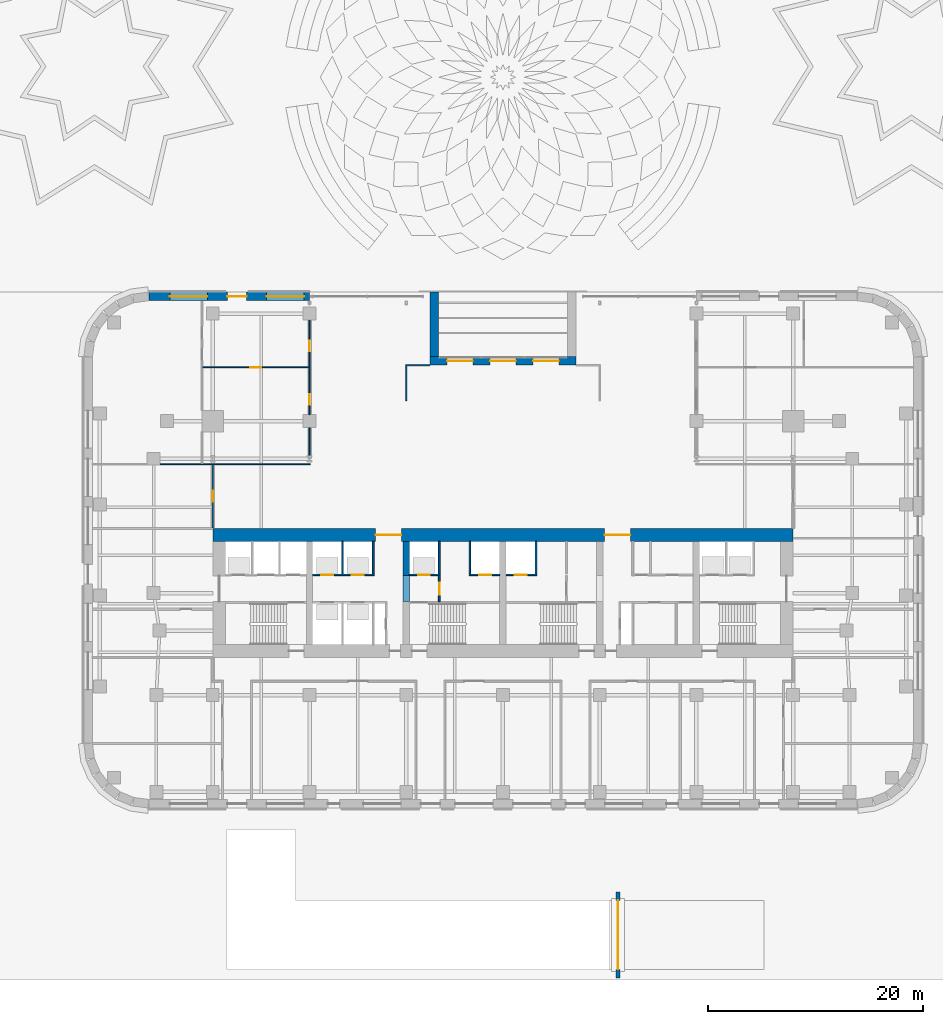
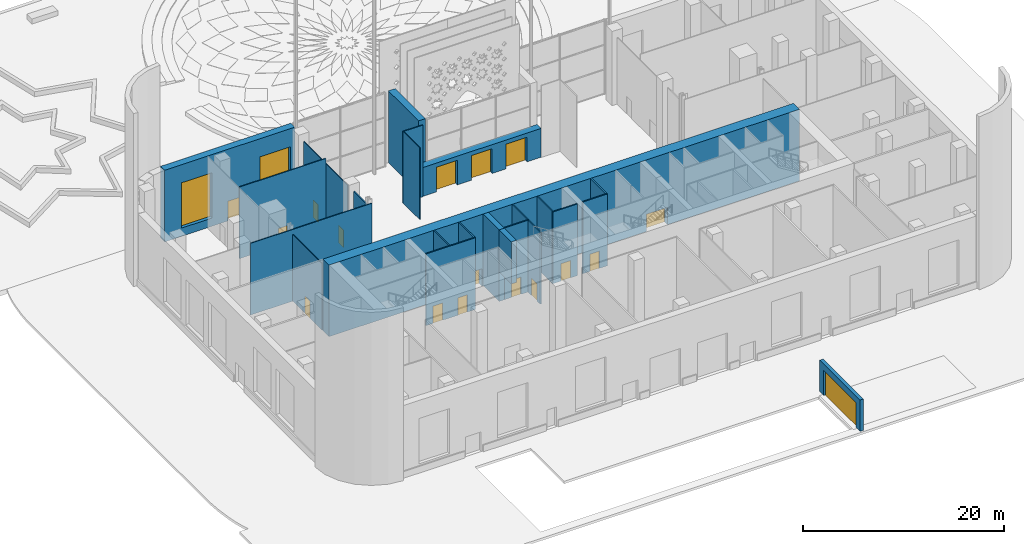
# One storey, part 12 of 23: 24 walls, 17 doors, 2 windows, 19 openings.
"""IFC4 building model written with IfcOpenShell, lengths in metres."""

from ifc_helpers import new_model, si_unit, direction, frame, frame_2d, origin, place, context, subcontext, project, spatial, rectangle, extrude, material, layer, layer_set, type_object, element, fill, save


model = new_model("IFC4")

# Units and contexts
model_context = context("Model", 3, precision=1e-05, world=origin(), true_north=direction((0.0, 1.0)))
body_context = subcontext(model_context, "Body", "Model", "MODEL_VIEW")
ifc_project = project(units=[si_unit("LENGTHUNIT", "METRE"), si_unit("AREAUNIT", "SQUARE_METRE"), si_unit("VOLUMEUNIT", "CUBIC_METRE"), si_unit("PLANEANGLEUNIT", "RADIAN"), si_unit("MASSUNIT", "GRAM", prefix="KILO")], contexts=[model_context])

# Site, building, storey
site_placement = place(None, origin())
site = spatial("IfcSite", under=ifc_project, at=site_placement, CompositionType="ELEMENT")
building_placement = place(site_placement, origin())
building = spatial("IfcBuilding", under=site, at=building_placement, Name="Zellij Exchange Tower", CompositionType="ELEMENT")
storey_placement = place(building_placement, origin())
storey = spatial("IfcBuildingStorey", under=building, at=storey_placement, Name="L00", CompositionType="ELEMENT", Elevation=0.0)

# Wall, opening, door
ifc_material_1 = material(Name="Concrete C40/50", Category="concrete")
ifc_layer_1 = layer(ifc_material_1, 0.39990234375)
ifc_layer_set_1 = layer_set([ifc_layer_1], Name="Concrete C40/50")
wall_type_1 = type_object("IfcWallType", Name="BSM-Gate wall 400", PredefinedType="SOLIDWALL", material=ifc_layer_set_1)
wall_1_placement = place(storey_placement, frame((10.705078125, -43.800048828125, 0.0), z_axis=(0.0, 0.0, 1.0), x_axis=(0.0, 1.0, 0.0)))
wall_1 = element("IfcWall", 1, at=wall_1_placement, inside=storey, type_object=wall_type_1, Name="Gate wall", PredefinedType="SOLIDWALL", context=body_context, shape_type="SweptSolid", body=[
    extrude(rectangle(XDim=8.0, YDim=0.39990234375, at=frame_2d((4.0, 0.0))), origin(), (0.0, 0.0, 1.0), 3.800048828125),
])
opening_1_placement = place(wall_1_placement, frame((0.800048828125, 0.0, 0.0)))
opening_1 = element("IfcOpeningElement", 2, at=opening_1_placement, cuts=wall_1, Name="Opening BSG.01", PredefinedType="OPENING", context=body_context, shape_type="SweptSolid", body=[
    extrude(rectangle(XDim=6.39990234375, YDim=3.0, at=frame_2d((3.199951171875, 1.5))), frame((0.0, 0.2119140625, 0.0), z_axis=(0.0, -1.0, 0.0), x_axis=(1.0, 0.0, 0.0)), (0.0, 0.0, 1.0), 0.423828125),
])
ifc_material_2 = material(Name="Galvanised sheet steel", Category="steel")
door_type_1 = type_object("IfcDoorType", Name="BSM-Sliding gate 6400x3000", OperationType="SLIDING_TO_LEFT", PredefinedType="GATE", material=ifc_material_2)
door_1_placement = place(opening_1_placement, origin())
door_1 = element("IfcDoor", 3, at=door_1_placement, inside=storey, type_object=door_type_1, Name="bsm.L00.door.BSG.01", OperationType="SINGLE_SWING_LEFT", OverallHeight=3.0, OverallWidth=6.39990234375, PredefinedType="GATE", context=body_context, shape_type="SweptSolid", body=[
    extrude(rectangle(XDim=6.39990234375, YDim=3.0, at=frame_2d((3.199951171875, 1.5))), frame((0.0, 0.02490234375, 0.0), z_axis=(0.0, -1.0, 0.0), x_axis=(1.0, 0.0, 0.0)), (0.0, 0.0, 1.0), 0.050048828125),
])
fill(opening_1, door_1)

# Walls
ifc_material_3 = material(Name="Concrete C70/85", Category="concrete")
ifc_layer_2 = layer(ifc_material_3, 0.60009765625)
ifc_layer_set_2 = layer_set([ifc_layer_2], Name="Concrete C70/85")
wall_type_2 = type_object("IfcWallType", Name="CORE-CW 600 C70/85", PredefinedType="SHEAR", material=ifc_layer_set_2)
wall_2_placement = place(storey_placement, frame((-9.0, -6.375, 0.0), z_axis=(0.0, 0.0, 1.0), x_axis=(0.0, 1.0, 0.0)))
element("IfcWall", 4, at=wall_2_placement, inside=storey, type_object=wall_type_2, Name="Core cross wall pier x -9 b L00", PredefinedType="SHEAR", context=body_context, shape_type="SweptSolid", body=[
    extrude(rectangle(XDim=3.175048828125, YDim=0.60009765625, at=frame_2d((1.58740234375, 0.0))), origin(), (0.0, 0.0, 1.0), 8.699951171875),
])
wall_3_placement = place(storey_placement, frame((-9.0, -8.800048828125, 3.60009765625), z_axis=(0.0, 0.0, 1.0), x_axis=(0.0, 1.0, 0.0)))
element("IfcWall", 5, at=wall_3_placement, inside=storey, type_object=wall_type_2, Name="Core cross wall over opening x -9 L00", PredefinedType="SHEAR", context=body_context, shape_type="SweptSolid", body=[
    extrude(rectangle(XDim=2.425048828125, YDim=0.60009765625, at=frame_2d((1.21240234375, 0.0))), origin(), (0.0, 0.0, 1.0), 5.099853515625),
])

# Wall, opening, door
ifc_material_4 = material(Name="Gypsum shaft wall system")
ifc_layer_3 = layer(ifc_material_4, 0.14990234375)
ifc_layer_set_3 = layer_set([ifc_layer_3], Name="Gypsum shaft wall system")
wall_type_3 = type_object("IfcWallType", Name="CORE-PW 150 Firefighting lobby wall", PredefinedType="PARTITIONING", material=ifc_layer_set_3)
wall_4_placement = place(storey_placement, frame((-5.925048828125, -8.800048828125, 0.0), z_axis=(0.0, 0.0, 1.0), x_axis=(0.0, 1.0, 0.0)))
wall_4 = element("IfcWall", 6, at=wall_4_placement, inside=storey, type_object=wall_type_3, Name="Firefighting lobby wall L00", PredefinedType="PARTITIONING", context=body_context, shape_type="SweptSolid", body=[
    extrude(rectangle(XDim=2.425048828125, YDim=0.14990234375, at=frame_2d((1.21240234375, 0.0))), origin(), (0.0, 0.0, 1.0), 8.699951171875),
])
opening_2_placement = place(wall_4_placement, frame((0.662109375, 0.0, 0.0)))
opening_2 = element("IfcOpeningElement", 7, at=opening_2_placement, cuts=wall_4, Name="Opening CA-03.17", PredefinedType="OPENING", context=body_context, shape_type="SweptSolid", body=[
    extrude(rectangle(XDim=1.10009765625, YDim=2.10009765625, at=frame_2d((0.550048828125, 1.050048828125))), frame((0.0, 0.0869140625, 0.0), z_axis=(0.0, -1.0, 0.0), x_axis=(1.0, 0.0, 0.0)), (0.0, 0.0, 1.0), 0.173828125),
])
ifc_material_5 = material(Name="Hollow metal fire door")
door_type_2 = type_object("IfcDoorType", Name="CORE-D F Firefighting lobby door 1100x2100 1 HR", OperationType="NOTDEFINED", PredefinedType="DOOR", material=ifc_material_5)
door_2_placement = place(opening_2_placement, origin())
door_2 = element("IfcDoor", 8, at=door_2_placement, inside=storey, type_object=door_type_2, Name="Firefighting lobby door CA-03.17", OperationType="SINGLE_SWING_LEFT", OverallHeight=2.10009765625, OverallWidth=1.10009765625, PredefinedType="DOOR", context=body_context, shape_type="SweptSolid", body=[
    extrude(rectangle(XDim=1.10009765625, YDim=2.10009765625, at=frame_2d((0.550048828125, 1.050048828125))), frame((0.0, 0.02490234375, 0.0), z_axis=(0.0, -1.0, 0.0), x_axis=(1.0, 0.0, 0.0)), (0.0, 0.0, 1.0), 0.050048828125),
])
fill(opening_2, door_2)

# Walls
ifc_layer_4 = layer(ifc_material_4, 0.14990234375)
ifc_layer_set_4 = layer_set([ifc_layer_4], Name="Gypsum shaft wall system")
wall_type_4 = type_object("IfcWallType", Name="CORE-PW 150 Lift shaft wall", PredefinedType="PARTITIONING", material=ifc_layer_set_4)
for number, where, z_axis, x_axis, name in (
    (9, (-12.074951171875, -6.22509765625, 0.0), (0.0, 0.0, 1.0), (0.0, 1.0, 0.0), "Lift shaft wall L00"),
    (10, (-14.925048828125, -6.22509765625, 0.0), (0.0, 0.0, 1.0), (0.0, 1.0, 0.0), "Lift shaft wall L00"),
    (11, (-3.074951171875, -6.22509765625, 0.0), (0.0, 0.0, 1.0), (0.0, 1.0, 0.0), "Lift shaft wall L00"),
    (12, (-5.925048828125, -6.22509765625, 0.0), (0.0, 0.0, 1.0), (0.0, 1.0, 0.0), "Lift shaft wall L00"),
    (13, (3.074951171875, -6.22509765625, 0.0), (0.0, 0.0, 1.0), (0.0, 1.0, 0.0), "Lift shaft wall L00"),
):
    element("IfcWall", number, at=place(storey_placement, frame(where, z_axis=z_axis, x_axis=x_axis)), inside=storey, type_object=wall_type_4, Name=name, PredefinedType="PARTITIONING", context=body_context, shape_type="SweptSolid", body=[
        extrude(rectangle(XDim=3.025146484375, YDim=0.14990234375, at=frame_2d((1.5126953125, 0.0))), origin(), (0.0, 0.0, 1.0), 8.699951171875),
    ])

# Wall, openings, doors
wall_5_placement = place(storey_placement, frame((-17.699951171875, -6.300048828125, 0.0), z_axis=(0.0, 0.0, 1.0), x_axis=(1.0, 0.0, 0.0)))
wall_5 = element("IfcWall", 14, at=wall_5_placement, inside=storey, type_object=wall_type_4, Name="Lift shaft wall L00", PredefinedType="PARTITIONING", context=body_context, shape_type="SweptSolid", body=[
    extrude(rectangle(XDim=5.699951171875, YDim=0.14990234375, at=frame_2d((2.85009765625, 0.0))), origin(), (0.0, 0.0, 1.0), 8.699951171875),
])
opening_3_placement = place(wall_5_placement, frame((0.800048828125, 0.0, 0.0)))
opening_3 = element("IfcOpeningElement", 15, at=opening_3_placement, cuts=wall_5, Name="Opening CA-03.08", PredefinedType="OPENING", context=body_context, shape_type="SweptSolid", body=[
    extrude(rectangle(XDim=1.10009765625, YDim=2.10009765625, at=frame_2d((0.550048828125, 1.050048828125))), frame((0.0, 0.0869140625, 0.0), z_axis=(0.0, -1.0, 0.0), x_axis=(1.0, 0.0, 0.0)), (0.0, 0.0, 1.0), 0.173828125),
])
opening_4_placement = place(wall_5_placement, frame((3.64990234375, 0.0, 0.0)))
opening_4 = element("IfcOpeningElement", 16, at=opening_4_placement, cuts=wall_5, Name="Opening CA-03.10", PredefinedType="OPENING", context=body_context, shape_type="SweptSolid", body=[
    extrude(rectangle(XDim=1.10009765625, YDim=2.10009765625, at=frame_2d((0.550048828125, 1.050048828125))), frame((0.0, 0.0869140625, 0.0), z_axis=(0.0, -1.0, 0.0), x_axis=(1.0, 0.0, 0.0)), (0.0, 0.0, 1.0), 0.173828125),
])
door_type_3 = type_object("IfcDoorType", Name="CORE-D LD Lift landing door 1100x2100 1.5 HR", OperationType="NOTDEFINED", PredefinedType="DOOR", material=ifc_material_5)
door_3_placement = place(opening_3_placement, origin())
door_3 = element("IfcDoor", 17, at=door_3_placement, inside=storey, type_object=door_type_3, Name="Lift landing door CA-03.08", OperationType="SLIDING_TO_RIGHT", OverallHeight=2.10009765625, OverallWidth=1.10009765625, PredefinedType="DOOR", context=body_context, shape_type="SweptSolid", body=[
    extrude(rectangle(XDim=1.10009765625, YDim=2.10009765625, at=frame_2d((0.550048828125, 1.050048828125))), frame((0.0, 0.02490234375, 0.0), z_axis=(0.0, -1.0, 0.0), x_axis=(1.0, 0.0, 0.0)), (0.0, 0.0, 1.0), 0.050048828125),
])
fill(opening_3, door_3)
door_4_placement = place(opening_4_placement, origin())
door_4 = element("IfcDoor", 18, at=door_4_placement, inside=storey, type_object=door_type_3, Name="Lift landing door CA-03.10", OperationType="SLIDING_TO_RIGHT", OverallHeight=2.10009765625, OverallWidth=1.10009765625, PredefinedType="DOOR", context=body_context, shape_type="SweptSolid", body=[
    extrude(rectangle(XDim=1.10009765625, YDim=2.10009765625, at=frame_2d((0.550048828125, 1.050048828125))), frame((0.0, 0.02490234375, 0.0), z_axis=(0.0, -1.0, 0.0), x_axis=(1.0, 0.0, 0.0)), (0.0, 0.0, 1.0), 0.050048828125),
])
fill(opening_4, door_4)

# Wall, opening, door
wall_6_placement = place(storey_placement, frame((-8.699951171875, -6.300048828125, 0.0), z_axis=(0.0, 0.0, 1.0), x_axis=(1.0, 0.0, 0.0)))
wall_6 = element("IfcWall", 19, at=wall_6_placement, inside=storey, type_object=wall_type_4, Name="Lift shaft wall L00", PredefinedType="PARTITIONING", context=body_context, shape_type="SweptSolid", body=[
    extrude(rectangle(XDim=2.849853515625, YDim=0.14990234375, at=frame_2d((1.4248046875, 0.0))), origin(), (0.0, 0.0, 1.0), 8.699951171875),
])
opening_5_placement = place(wall_6_placement, frame((0.800048828125, 0.0, 0.0)))
opening_5 = element("IfcOpeningElement", 20, at=opening_5_placement, cuts=wall_6, Name="Opening CA-03.16", PredefinedType="OPENING", context=body_context, shape_type="SweptSolid", body=[
    extrude(rectangle(XDim=1.10009765625, YDim=2.10009765625, at=frame_2d((0.550048828125, 1.050048828125))), frame((0.0, 0.0869140625, 0.0), z_axis=(0.0, -1.0, 0.0), x_axis=(1.0, 0.0, 0.0)), (0.0, 0.0, 1.0), 0.173828125),
])
door_5_placement = place(opening_5_placement, origin())
door_5 = element("IfcDoor", 21, at=door_5_placement, inside=storey, type_object=door_type_3, Name="Lift landing door CA-03.16", OperationType="SLIDING_TO_RIGHT", OverallHeight=2.10009765625, OverallWidth=1.10009765625, PredefinedType="DOOR", context=body_context, shape_type="SweptSolid", body=[
    extrude(rectangle(XDim=1.10009765625, YDim=2.10009765625, at=frame_2d((0.550048828125, 1.050048828125))), frame((0.0, 0.02490234375, 0.0), z_axis=(0.0, -1.0, 0.0), x_axis=(1.0, 0.0, 0.0)), (0.0, 0.0, 1.0), 0.050048828125),
])
fill(opening_5, door_5)

wall_7_placement = place(storey_placement, frame((-3.14990234375, -6.300048828125, 0.0), z_axis=(0.0, 0.0, 1.0), x_axis=(1.0, 0.0, 0.0)))
wall_7 = element("IfcWall", 22, at=wall_7_placement, inside=storey, type_object=wall_type_4, Name="Lift shaft wall L00", PredefinedType="PARTITIONING", context=body_context, shape_type="SweptSolid", body=[
    extrude(rectangle(XDim=2.849853515625, YDim=0.14990234375, at=frame_2d((1.4248046875, 0.0))), origin(), (0.0, 0.0, 1.0), 8.699951171875),
])
opening_6_placement = place(wall_7_placement, frame((0.949951171875, 0.0, 0.0)))
opening_6 = element("IfcOpeningElement", 23, at=opening_6_placement, cuts=wall_7, Name="Opening CA-03.18", PredefinedType="OPENING", context=body_context, shape_type="SweptSolid", body=[
    extrude(rectangle(XDim=1.10009765625, YDim=2.10009765625, at=frame_2d((0.550048828125, 1.050048828125))), frame((0.0, 0.0869140625, 0.0), z_axis=(0.0, -1.0, 0.0), x_axis=(1.0, 0.0, 0.0)), (0.0, 0.0, 1.0), 0.173828125),
])
door_6_placement = place(opening_6_placement, origin())
door_6 = element("IfcDoor", 24, at=door_6_placement, inside=storey, type_object=door_type_3, Name="Lift landing door CA-03.18", OperationType="SLIDING_TO_RIGHT", OverallHeight=2.10009765625, OverallWidth=1.10009765625, PredefinedType="DOOR", context=body_context, shape_type="SweptSolid", body=[
    extrude(rectangle(XDim=1.10009765625, YDim=2.10009765625, at=frame_2d((0.550048828125, 1.050048828125))), frame((0.0, 0.02490234375, 0.0), z_axis=(0.0, -1.0, 0.0), x_axis=(1.0, 0.0, 0.0)), (0.0, 0.0, 1.0), 0.050048828125),
])
fill(opening_6, door_6)

wall_8_placement = place(storey_placement, frame((0.300048828125, -6.300048828125, 0.0), z_axis=(0.0, 0.0, 1.0), x_axis=(1.0, 0.0, 0.0)))
wall_8 = element("IfcWall", 25, at=wall_8_placement, inside=storey, type_object=wall_type_4, Name="Lift shaft wall L00", PredefinedType="PARTITIONING", context=body_context, shape_type="SweptSolid", body=[
    extrude(rectangle(XDim=2.849853515625, YDim=0.14990234375, at=frame_2d((1.4248046875, 0.0))), origin(), (0.0, 0.0, 1.0), 8.699951171875),
])
opening_7_placement = place(wall_8_placement, frame((0.800048828125, 0.0, 0.0)))
opening_7 = element("IfcOpeningElement", 26, at=opening_7_placement, cuts=wall_8, Name="Opening CA-03.19", PredefinedType="OPENING", context=body_context, shape_type="SweptSolid", body=[
    extrude(rectangle(XDim=1.10009765625, YDim=2.10009765625, at=frame_2d((0.550048828125, 1.050048828125))), frame((0.0, 0.0869140625, 0.0), z_axis=(0.0, -1.0, 0.0), x_axis=(1.0, 0.0, 0.0)), (0.0, 0.0, 1.0), 0.173828125),
])
door_7_placement = place(opening_7_placement, origin())
door_7 = element("IfcDoor", 27, at=door_7_placement, inside=storey, type_object=door_type_3, Name="Lift landing door CA-03.19", OperationType="SLIDING_TO_LEFT", OverallHeight=2.10009765625, OverallWidth=1.10009765625, PredefinedType="DOOR", context=body_context, shape_type="SweptSolid", body=[
    extrude(rectangle(XDim=1.10009765625, YDim=2.10009765625, at=frame_2d((0.550048828125, 1.050048828125))), frame((0.0, 0.02490234375, 0.0), z_axis=(0.0, -1.0, 0.0), x_axis=(1.0, 0.0, 0.0)), (0.0, 0.0, 1.0), 0.050048828125),
])
fill(opening_7, door_7)

# Wall, openings, doors
ifc_layer_5 = layer(ifc_material_3, 1.199951171875)
ifc_layer_set_5 = layer_set([ifc_layer_5], Name="Concrete C70/85")
wall_type_5 = type_object("IfcWallType", Name="CORE-SW 1200 C70/85", PredefinedType="SHEAR", material=ifc_layer_set_5)
wall_9_placement = place(storey_placement, frame((-27.0, -2.60009765625, 0.0), z_axis=(0.0, 0.0, 1.0), x_axis=(1.0, 0.0, 0.0)))
wall_9 = element("IfcWall", 28, at=wall_9_placement, inside=storey, type_object=wall_type_5, Name="Core shear wall front L00", PredefinedType="SHEAR", context=body_context, shape_type="SweptSolid", body=[
    extrude(rectangle(XDim=54.0, YDim=1.199951171875, at=frame_2d((27.0, 0.0))), origin(), (0.0, 0.0, 1.0), 8.699951171875),
])
opening_8_placement = place(wall_9_placement, frame((15.14990234375, 0.0, 0.0)))
opening_8 = element("IfcOpeningElement", 29, at=opening_8_placement, cuts=wall_9, Name="Opening CA-03.12", PredefinedType="OPENING", context=body_context, shape_type="SweptSolid", body=[
    extrude(rectangle(XDim=2.39990234375, YDim=2.10009765625, at=frame_2d((1.199951171875, 1.050048828125))), frame((0.0, 0.61181640625, 0.0), z_axis=(0.0, -1.0, 0.0), x_axis=(1.0, 0.0, 0.0)), (0.0, 0.0, 1.0), 1.223876953125),
])
opening_9_placement = place(wall_9_placement, frame((36.449951171875, 0.0, 0.0)))
opening_9 = element("IfcOpeningElement", 30, at=opening_9_placement, cuts=wall_9, Name="Opening CA-03.24", PredefinedType="OPENING", context=body_context, shape_type="SweptSolid", body=[
    extrude(rectangle(XDim=2.39990234375, YDim=2.10009765625, at=frame_2d((1.199951171875, 1.050048828125))), frame((0.0, 0.61181640625, 0.0), z_axis=(0.0, -1.0, 0.0), x_axis=(1.0, 0.0, 0.0)), (0.0, 0.0, 1.0), 1.223876953125),
])
door_type_4 = type_object("IfcDoorType", Name="CORE-D CE Core entrance door 2400x2100 20 MIN", OperationType="NOTDEFINED", PredefinedType="DOOR", material=ifc_material_5)
door_8_placement = place(opening_8_placement, origin())
door_8 = element("IfcDoor", 31, at=door_8_placement, inside=storey, type_object=door_type_4, Name="Core entrance door CA-03.12", OperationType="DOUBLE_DOOR_SINGLE_SWING", OverallHeight=2.10009765625, OverallWidth=2.39990234375, PredefinedType="DOOR", context=body_context, shape_type="SweptSolid", body=[
    extrude(rectangle(XDim=2.39990234375, YDim=2.10009765625, at=frame_2d((1.199951171875, 1.050048828125))), frame((0.0, 0.02490234375, 0.0), z_axis=(0.0, -1.0, 0.0), x_axis=(1.0, 0.0, 0.0)), (0.0, 0.0, 1.0), 0.050048828125),
])
fill(opening_8, door_8)
door_9_placement = place(opening_9_placement, origin())
door_9 = element("IfcDoor", 32, at=door_9_placement, inside=storey, type_object=door_type_4, Name="Core entrance door CA-03.24", OperationType="DOUBLE_DOOR_SINGLE_SWING", OverallHeight=2.10009765625, OverallWidth=2.39990234375, PredefinedType="DOOR", context=body_context, shape_type="SweptSolid", body=[
    extrude(rectangle(XDim=2.39990234375, YDim=2.10009765625, at=frame_2d((1.199951171875, 1.050048828125))), frame((0.0, 0.02490234375, 0.0), z_axis=(0.0, -1.0, 0.0), x_axis=(1.0, 0.0, 0.0)), (0.0, 0.0, 1.0), 0.050048828125),
])
fill(opening_9, door_9)

# Wall, openings, door, windows
ifc_material_6 = material(Name="Precast concrete C40/50", Category="concrete")
ifc_layer_6 = layer(ifc_material_6, 0.800048828125)
ifc_layer_set_6 = layer_set([ifc_layer_6], Name="Precast concrete C40/50")
wall_type_6 = type_object("IfcWallType", Name="ENV-EW1 Precast stone-piered wall 800", PredefinedType="SOLIDWALL", material=ifc_layer_set_6)
wall_10_placement = place(storey_placement, frame((-18.0, 19.60009765625, 0.0), z_axis=(0.0, 0.0, 1.0), x_axis=(-1.0, 0.0, 0.0)))
wall_10 = element("IfcWall", 33, at=wall_10_placement, inside=storey, type_object=wall_type_6, Name="fac.L00.14d", PredefinedType="SOLIDWALL", context=body_context, shape_type="SweptSolid", body=[
    extrude(rectangle(XDim=14.947509765625, YDim=0.800048828125, at=frame_2d((7.4736328125, 0.0))), origin(), (0.0, 0.0, 1.0), 8.699951171875),
])
opening_10_placement = place(wall_10_placement, frame((0.5, 0.0, 1.0)))
opening_10 = element("IfcOpeningElement", 34, at=opening_10_placement, cuts=wall_10, Name="Opening FP0.12", PredefinedType="OPENING", context=body_context, shape_type="SweptSolid", body=[
    extrude(rectangle(XDim=3.5, YDim=5.5, at=frame_2d((1.75, 2.75))), frame((0.0, 0.412109375, 0.0), z_axis=(0.0, -1.0, 0.0), x_axis=(1.0, 0.0, 0.0)), (0.0, 0.0, 1.0), 0.823974609375),
])
opening_11_placement = place(wall_10_placement, frame((9.5, 0.0, 1.0)))
opening_11 = element("IfcOpeningElement", 35, at=opening_11_placement, cuts=wall_10, Name="Opening FP0.14", PredefinedType="OPENING", context=body_context, shape_type="SweptSolid", body=[
    extrude(rectangle(XDim=3.5, YDim=5.5, at=frame_2d((1.75, 2.75))), frame((0.0, 0.412109375, 0.0), z_axis=(0.0, -1.0, 0.0), x_axis=(1.0, 0.0, 0.0)), (0.0, 0.0, 1.0), 0.823974609375),
])
opening_12_placement = place(wall_10_placement, frame((5.85009765625, 0.0, 0.0)))
opening_12 = element("IfcOpeningElement", 36, at=opening_12_placement, cuts=wall_10, Name="Opening FP0.32", PredefinedType="OPENING", context=body_context, shape_type="SweptSolid", body=[
    extrude(rectangle(XDim=1.800048828125, YDim=2.39990234375, at=frame_2d((0.89990234375, 1.199951171875))), frame((0.0, 0.412109375, 0.0), z_axis=(0.0, -1.0, 0.0), x_axis=(1.0, 0.0, 0.0)), (0.0, 0.0, 1.0), 0.823974609375),
])
ifc_material_7 = material(Name="Aluminium and glass entrance door", Category="aluminium")
door_type_5 = type_object("IfcDoorType", Name="ENV-ED2 Side entrance 1800x2400", OperationType="DOUBLE_DOOR_SINGLE_SWING", PredefinedType="DOOR", material=ifc_material_7)
door_10_placement = place(opening_12_placement, frame((1.800048828125, 0.0, 0.0), z_axis=(0.0, 0.0, 1.0), x_axis=(-1.0, 0.0, 0.0)))
door_10 = element("IfcDoor", 37, at=door_10_placement, inside=storey, type_object=door_type_5, Name="Side entrance door FP0.32", OperationType="DOUBLE_DOOR_SINGLE_SWING", OverallHeight=2.39990234375, OverallWidth=1.800048828125, PredefinedType="DOOR", context=body_context, shape_type="SweptSolid", body=[
    extrude(rectangle(XDim=1.800048828125, YDim=2.39990234375, at=frame_2d((0.89990234375, 1.199951171875))), frame((0.0, 0.02490234375, 0.0), z_axis=(0.0, -1.0, 0.0), x_axis=(1.0, 0.0, 0.0)), (0.0, 0.0, 1.0), 0.050048828125),
])
fill(opening_12, door_10)
ifc_material_8 = material(Name="Aluminium frame with insulating glass", Category="aluminium")
window_type = type_object("IfcWindowType", Name="ENV-W3 Window 3500x5500", PartitioningType="SINGLE_PANEL", PredefinedType="WINDOW", material=ifc_material_8)
window_1_placement = place(opening_10_placement, origin())
window_1 = element("IfcWindow", 38, at=window_1_placement, inside=storey, type_object=window_type, Name="Window FP0.12", OverallHeight=5.5, OverallWidth=3.5, PartitioningType="SINGLE_PANEL", PredefinedType="WINDOW", context=body_context, shape_type="SweptSolid", body=[
    extrude(rectangle(XDim=3.5, YDim=5.5, at=frame_2d((1.75, 2.75))), frame((0.0, 0.030029296875, 0.0), z_axis=(0.0, -1.0, 0.0), x_axis=(1.0, 0.0, 0.0)), (0.0, 0.0, 1.0), 0.06005859375),
])
fill(opening_10, window_1)
window_2_placement = place(opening_11_placement, origin())
window_2 = element("IfcWindow", 39, at=window_2_placement, inside=storey, type_object=window_type, Name="Window FP0.14", OverallHeight=5.5, OverallWidth=3.5, PartitioningType="SINGLE_PANEL", PredefinedType="WINDOW", context=body_context, shape_type="SweptSolid", body=[
    extrude(rectangle(XDim=3.5, YDim=5.5, at=frame_2d((1.75, 2.75))), frame((0.0, 0.030029296875, 0.0), z_axis=(0.0, -1.0, 0.0), x_axis=(1.0, 0.0, 0.0)), (0.0, 0.0, 1.0), 0.06005859375),
])
fill(opening_11, window_2)

# Wall
wall_11_placement = place(storey_placement, frame((-6.39990234375, 14.0, 0.0), z_axis=(0.0, 0.0, 1.0), x_axis=(0.0, 1.0, 0.0)))
element("IfcWall", 40, at=wall_11_placement, inside=storey, type_object=wall_type_6, Name="fac.L00.portal.revealW", PredefinedType="SOLIDWALL", context=body_context, shape_type="SweptSolid", body=[
    extrude(rectangle(XDim=6.0, YDim=0.800048828125, at=frame_2d((3.0, 0.0))), origin(), (0.0, 0.0, 1.0), 8.699951171875),
])

# Wall, openings, doors
wall_12_placement = place(storey_placement, frame((-6.800048828125, 13.60009765625, 0.0), z_axis=(0.0, 0.0, 1.0), x_axis=(1.0, 0.0, 0.0)))
wall_12 = element("IfcWall", 41, at=wall_12_placement, inside=storey, type_object=wall_type_6, Name="fac.L00.portal.N", PredefinedType="SOLIDWALL", context=body_context, shape_type="SweptSolid", body=[
    extrude(rectangle(XDim=13.60009765625, YDim=0.800048828125, at=frame_2d((6.800048828125, 0.0))), origin(), (0.0, 0.0, 1.0), 3.5),
])
opening_13_placement = place(wall_12_placement, frame((1.60009765625, 0.0, 0.0)))
opening_13 = element("IfcOpeningElement", 42, at=opening_13_placement, cuts=wall_12, Name="Opening FP0.35", PredefinedType="OPENING", context=body_context, shape_type="SweptSolid", body=[
    extrude(rectangle(XDim=2.39990234375, YDim=3.0, at=frame_2d((1.199951171875, 1.5))), frame((0.0, 0.412109375, 0.0), z_axis=(0.0, -1.0, 0.0), x_axis=(1.0, 0.0, 0.0)), (0.0, 0.0, 1.0), 0.823974609375),
])
opening_14_placement = place(wall_12_placement, frame((5.60009765625, 0.0, 0.0)))
opening_14 = element("IfcOpeningElement", 43, at=opening_14_placement, cuts=wall_12, Name="Opening FP0.36", PredefinedType="OPENING", context=body_context, shape_type="SweptSolid", body=[
    extrude(rectangle(XDim=2.39990234375, YDim=3.0, at=frame_2d((1.199951171875, 1.5))), frame((0.0, 0.412109375, 0.0), z_axis=(0.0, -1.0, 0.0), x_axis=(1.0, 0.0, 0.0)), (0.0, 0.0, 1.0), 0.823974609375),
])
opening_15_placement = place(wall_12_placement, frame((9.60009765625, 0.0, 0.0)))
opening_15 = element("IfcOpeningElement", 44, at=opening_15_placement, cuts=wall_12, Name="Opening FP0.37", PredefinedType="OPENING", context=body_context, shape_type="SweptSolid", body=[
    extrude(rectangle(XDim=2.39990234375, YDim=3.0, at=frame_2d((1.199951171875, 1.5))), frame((0.0, 0.412109375, 0.0), z_axis=(0.0, -1.0, 0.0), x_axis=(1.0, 0.0, 0.0)), (0.0, 0.0, 1.0), 0.823974609375),
])
door_type_6 = type_object("IfcDoorType", Name="ENV-ED1 Iwan entrance 2400x3000", OperationType="DOUBLE_DOOR_SINGLE_SWING", PredefinedType="DOOR", material=ifc_material_7)
door_11_placement = place(opening_13_placement, frame((2.39990234375, 0.0, 0.0), z_axis=(0.0, 0.0, 1.0), x_axis=(-1.0, 0.0, 0.0)))
door_11 = element("IfcDoor", 45, at=door_11_placement, inside=storey, type_object=door_type_6, Name="Entrance door FP0.35", OperationType="DOUBLE_DOOR_SINGLE_SWING", OverallHeight=3.0, OverallWidth=2.39990234375, PredefinedType="DOOR", context=body_context, shape_type="SweptSolid", body=[
    extrude(rectangle(XDim=2.39990234375, YDim=3.0, at=frame_2d((1.199951171875, 1.5))), frame((0.0, 0.02490234375, 0.0), z_axis=(0.0, -1.0, 0.0), x_axis=(1.0, 0.0, 0.0)), (0.0, 0.0, 1.0), 0.050048828125),
])
fill(opening_13, door_11)
door_12_placement = place(opening_14_placement, frame((2.39990234375, 0.0, 0.0), z_axis=(0.0, 0.0, 1.0), x_axis=(-1.0, 0.0, 0.0)))
door_12 = element("IfcDoor", 46, at=door_12_placement, inside=storey, type_object=door_type_6, Name="Entrance door FP0.36", OperationType="DOUBLE_DOOR_SINGLE_SWING", OverallHeight=3.0, OverallWidth=2.39990234375, PredefinedType="DOOR", context=body_context, shape_type="SweptSolid", body=[
    extrude(rectangle(XDim=2.39990234375, YDim=3.0, at=frame_2d((1.199951171875, 1.5))), frame((0.0, 0.02490234375, 0.0), z_axis=(0.0, -1.0, 0.0), x_axis=(1.0, 0.0, 0.0)), (0.0, 0.0, 1.0), 0.050048828125),
])
fill(opening_14, door_12)
door_13_placement = place(opening_15_placement, frame((2.39990234375, 0.0, 0.0), z_axis=(0.0, 0.0, 1.0), x_axis=(-1.0, 0.0, 0.0)))
door_13 = element("IfcDoor", 47, at=door_13_placement, inside=storey, type_object=door_type_6, Name="Entrance door FP0.37", OperationType="DOUBLE_DOOR_SINGLE_SWING", OverallHeight=3.0, OverallWidth=2.39990234375, PredefinedType="DOOR", context=body_context, shape_type="SweptSolid", body=[
    extrude(rectangle(XDim=2.39990234375, YDim=3.0, at=frame_2d((1.199951171875, 1.5))), frame((0.0, 0.02490234375, 0.0), z_axis=(0.0, -1.0, 0.0), x_axis=(1.0, 0.0, 0.0)), (0.0, 0.0, 1.0), 0.050048828125),
])
fill(opening_15, door_13)

# Wall, opening, door
ifc_material_9 = material(Name="Gypsum board partition on steel studs", Category="steel")
ifc_layer_7 = layer(ifc_material_9, 0.10009765625)
ifc_layer_set_7 = layer_set([ifc_layer_7], Name="Gypsum board partition on steel studs")
wall_type_7 = type_object("IfcWallType", Name="FIT-PARTITION-100", PredefinedType="PARTITIONING", material=ifc_layer_set_7)
wall_13_placement = place(storey_placement, frame((-27.0, -1.89990234375, 0.0), z_axis=(0.0, 0.0, 1.0), x_axis=(0.0, 1.0, 0.0)))
wall_13 = element("IfcWall", 48, at=wall_13_placement, inside=storey, type_object=wall_type_7, Name="FIT-PARTITION-100 025", PredefinedType="PARTITIONING", context=body_context, shape_type="SweptSolid", body=[
    extrude(rectangle(XDim=5.849853515625, YDim=0.10009765625, at=frame_2d((2.9248046875, 0.0))), origin(), (0.0, 0.0, 1.0), 8.087890625),
])
opening_16_placement = place(wall_13_placement, frame((2.39990234375, 0.0, 0.0)))
opening_16 = element("IfcOpeningElement", 49, at=opening_16_placement, cuts=wall_13, Name="Opening P0.12", PredefinedType="OPENING", context=body_context, shape_type="SweptSolid", body=[
    extrude(rectangle(XDim=1.0, YDim=2.10009765625, at=frame_2d((0.5, 1.050048828125))), frame((0.0, 0.06201171875, 0.0), z_axis=(0.0, -1.0, 0.0), x_axis=(1.0, 0.0, 0.0)), (0.0, 0.0, 1.0), 0.1240234375),
])
ifc_material_10 = material(Name="Timber door set", Category="wood")
door_type_7 = type_object("IfcDoorType", Name="FIT-D2-WIDE-1000X2100", OperationType="SINGLE_SWING_LEFT", PredefinedType="DOOR", material=ifc_material_10)
door_14_placement = place(opening_16_placement, origin())
door_14 = element("IfcDoor", 50, at=door_14_placement, inside=storey, type_object=door_type_7, Name="Door P0.12", OperationType="SINGLE_SWING_LEFT", OverallHeight=2.10009765625, OverallWidth=1.0, PredefinedType="DOOR", context=body_context, shape_type="SweptSolid", body=[
    extrude(rectangle(XDim=1.0, YDim=2.10009765625, at=frame_2d((0.5, 1.050048828125))), frame((0.0, 0.02490234375, 0.0), z_axis=(0.0, -1.0, 0.0), x_axis=(1.0, 0.0, 0.0)), (0.0, 0.0, 1.0), 0.050048828125),
])
fill(opening_16, door_14)

# Walls
wall_14_placement = place(storey_placement, frame((-31.89990234375, 4.0, 0.0), z_axis=(0.0, 0.0, 1.0), x_axis=(1.0, 0.0, 0.0)))
element("IfcWall", 51, at=wall_14_placement, inside=storey, type_object=wall_type_7, Name="FIT-PARTITION-100 028", PredefinedType="PARTITIONING", context=body_context, shape_type="SweptSolid", body=[
    extrude(rectangle(XDim=13.949951171875, YDim=0.10009765625, at=frame_2d((6.97509765625, 0.0))), origin(), (0.0, 0.0, 1.0), 8.699951171875),
])
wall_15_placement = place(storey_placement, frame((-18.0, 4.784423828125, 0.0), z_axis=(0.0, 0.0, 1.0), x_axis=(0.0, 1.0, 0.0)))
element("IfcWall", 52, at=wall_15_placement, inside=storey, type_object=wall_type_7, Name="FIT-PARTITION-100 031", PredefinedType="PARTITIONING", context=body_context, shape_type="SweptSolid", body=[
    extrude(rectangle(XDim=2.615478515625, YDim=0.10009765625, at=frame_2d((1.3076171875, 0.0))), origin(), (0.0, 0.0, 1.0), 8.087890625),
])

# Wall, openings, doors
wall_16_placement = place(storey_placement, frame((-18.0, 8.60009765625, 0.0), z_axis=(0.0, 0.0, 1.0), x_axis=(0.0, 1.0, 0.0)))
wall_16 = element("IfcWall", 53, at=wall_16_placement, inside=storey, type_object=wall_type_7, Name="FIT-PARTITION-100 032", PredefinedType="PARTITIONING", context=body_context, shape_type="SweptSolid", body=[
    extrude(rectangle(XDim=8.7998046875, YDim=0.10009765625, at=frame_2d((4.39990234375, 0.0))), origin(), (0.0, 0.0, 1.0), 8.087890625),
])
opening_17_placement = place(wall_16_placement, frame((0.89990234375, 0.0, 0.0)))
opening_17 = element("IfcOpeningElement", 54, at=opening_17_placement, cuts=wall_16, Name="Opening P0.14", PredefinedType="OPENING", context=body_context, shape_type="SweptSolid", body=[
    extrude(rectangle(XDim=1.0, YDim=2.10009765625, at=frame_2d((0.5, 1.050048828125))), frame((0.0, 0.06201171875, 0.0), z_axis=(0.0, -1.0, 0.0), x_axis=(1.0, 0.0, 0.0)), (0.0, 0.0, 1.0), 0.1240234375),
])
opening_18_placement = place(wall_16_placement, frame((5.89990234375, 0.0, 0.0)))
opening_18 = element("IfcOpeningElement", 55, at=opening_18_placement, cuts=wall_16, Name="Opening P0.19", PredefinedType="OPENING", context=body_context, shape_type="SweptSolid", body=[
    extrude(rectangle(XDim=1.0, YDim=2.10009765625, at=frame_2d((0.5, 1.050048828125))), frame((0.0, 0.06201171875, 0.0), z_axis=(0.0, -1.0, 0.0), x_axis=(1.0, 0.0, 0.0)), (0.0, 0.0, 1.0), 0.1240234375),
])
door_15_placement = place(opening_17_placement, origin())
door_15 = element("IfcDoor", 56, at=door_15_placement, inside=storey, type_object=door_type_7, Name="Door P0.14", OperationType="SINGLE_SWING_RIGHT", OverallHeight=2.10009765625, OverallWidth=1.0, PredefinedType="DOOR", context=body_context, shape_type="SweptSolid", body=[
    extrude(rectangle(XDim=1.0, YDim=2.10009765625, at=frame_2d((0.5, 1.050048828125))), frame((0.0, 0.02490234375, 0.0), z_axis=(0.0, -1.0, 0.0), x_axis=(1.0, 0.0, 0.0)), (0.0, 0.0, 1.0), 0.050048828125),
])
fill(opening_17, door_15)
door_16_placement = place(opening_18_placement, origin())
door_16 = element("IfcDoor", 57, at=door_16_placement, inside=storey, type_object=door_type_7, Name="Door P0.19", OperationType="SINGLE_SWING_LEFT", OverallHeight=2.10009765625, OverallWidth=1.0, PredefinedType="DOOR", context=body_context, shape_type="SweptSolid", body=[
    extrude(rectangle(XDim=1.0, YDim=2.10009765625, at=frame_2d((0.5, 1.050048828125))), frame((0.0, 0.02490234375, 0.0), z_axis=(0.0, -1.0, 0.0), x_axis=(1.0, 0.0, 0.0)), (0.0, 0.0, 1.0), 0.050048828125),
])
fill(opening_18, door_16)

# Wall
wall_17_placement = place(storey_placement, frame((-9.0, 9.89990234375, 0.0), z_axis=(0.0, 0.0, 1.0), x_axis=(0.0, 1.0, 0.0)))
element("IfcWall", 58, at=wall_17_placement, inside=storey, type_object=wall_type_7, Name="FIT-PARTITION-100 037", PredefinedType="PARTITIONING", context=body_context, shape_type="SweptSolid", body=[
    extrude(rectangle(XDim=3.25, YDim=0.10009765625, at=frame_2d((1.625, 0.0))), origin(), (0.0, 0.0, 1.0), 8.699951171875),
])

# Wall, opening, door
wall_18_placement = place(storey_placement, frame((-27.949951171875, 13.0, 0.0), z_axis=(0.0, 0.0, 1.0), x_axis=(1.0, 0.0, 0.0)))
wall_18 = element("IfcWall", 59, at=wall_18_placement, inside=storey, type_object=wall_type_7, Name="FIT-PARTITION-100 039", PredefinedType="PARTITIONING", context=body_context, shape_type="SweptSolid", body=[
    extrude(rectangle(XDim=9.89990234375, YDim=0.10009765625, at=frame_2d((4.949951171875, 0.0))), origin(), (0.0, 0.0, 1.0), 8.699951171875),
])
opening_19_placement = place(wall_18_placement, frame((4.449951171875, 0.0, 0.0)))
opening_19 = element("IfcOpeningElement", 60, at=opening_19_placement, cuts=wall_18, Name="Opening P0.16", PredefinedType="OPENING", context=body_context, shape_type="SweptSolid", body=[
    extrude(rectangle(XDim=1.0, YDim=2.10009765625, at=frame_2d((0.5, 1.050048828125))), frame((0.0, 0.06201171875, 0.0), z_axis=(0.0, -1.0, 0.0), x_axis=(1.0, 0.0, 0.0)), (0.0, 0.0, 1.0), 0.1240234375),
])
door_17_placement = place(opening_19_placement, origin())
door_17 = element("IfcDoor", 61, at=door_17_placement, inside=storey, type_object=door_type_7, Name="Door P0.16", OperationType="SINGLE_SWING_RIGHT", OverallHeight=2.10009765625, OverallWidth=1.0, PredefinedType="DOOR", context=body_context, shape_type="SweptSolid", body=[
    extrude(rectangle(XDim=1.0, YDim=2.10009765625, at=frame_2d((0.5, 1.050048828125))), frame((0.0, 0.02490234375, 0.0), z_axis=(0.0, -1.0, 0.0), x_axis=(1.0, 0.0, 0.0)), (0.0, 0.0, 1.0), 0.050048828125),
])
fill(opening_19, door_17)

# Wall
wall_19_placement = place(storey_placement, frame((-9.050048828125, 13.199951171875, 0.0), z_axis=(0.0, 0.0, 1.0), x_axis=(1.0, 0.0, 0.0)))
element("IfcWall", 62, at=wall_19_placement, inside=storey, type_object=wall_type_7, Name="FIT-PARTITION-100 042", PredefinedType="PARTITIONING", context=body_context, shape_type="SweptSolid", body=[
    extrude(rectangle(XDim=2.25, YDim=0.10009765625, at=frame_2d((1.125, 0.0))), origin(), (0.0, 0.0, 1.0), 8.699951171875),
])

save(model, "model.ifc")
